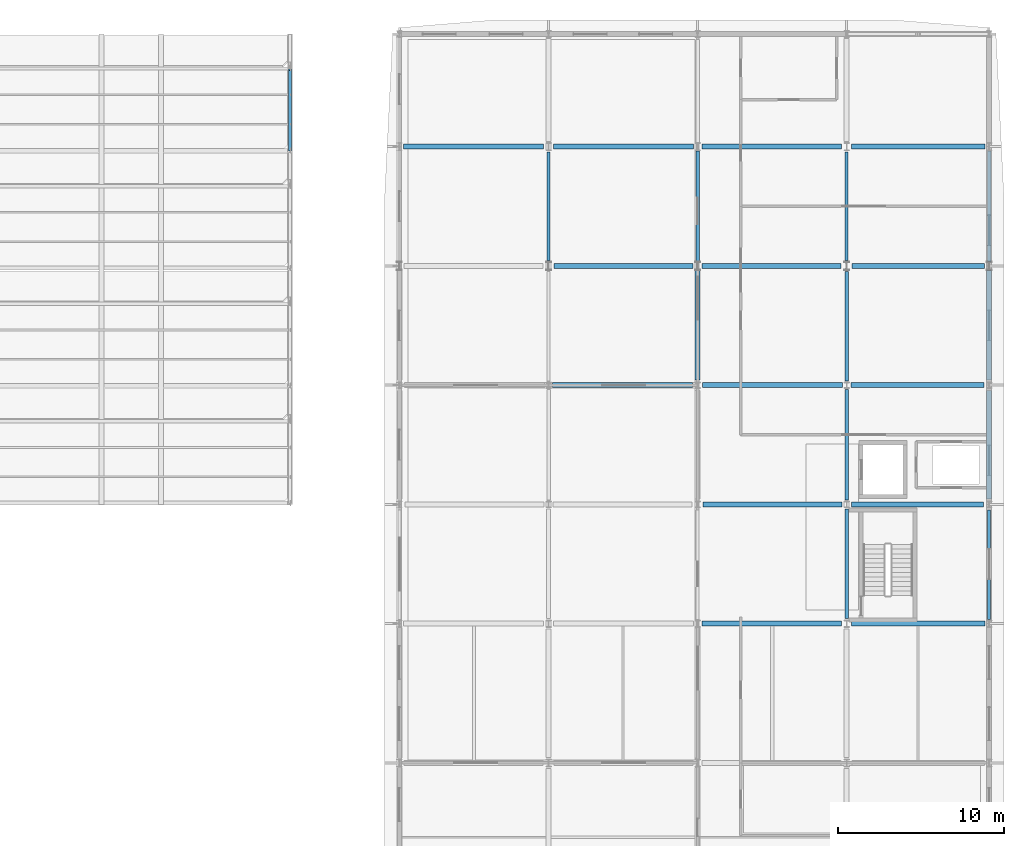
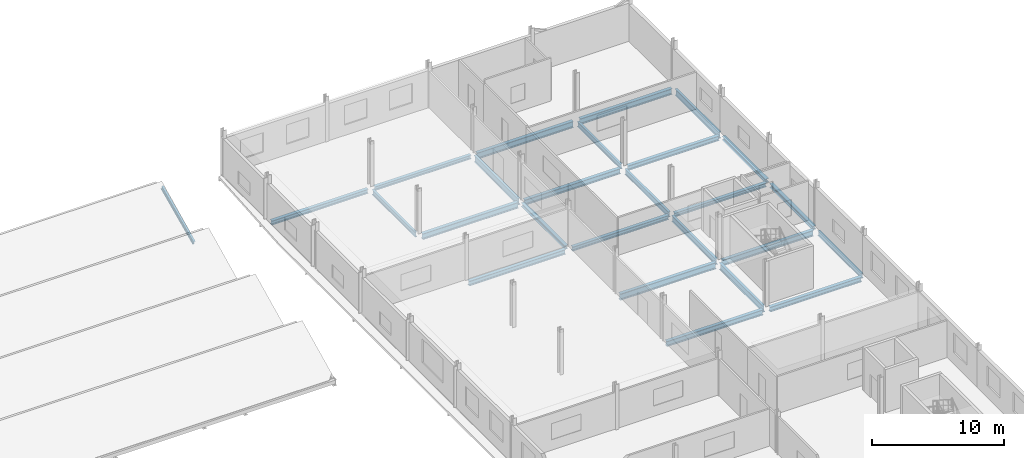
# One storey, part 86 of 138: 26 beams.
"""IFC4 building model written with IfcOpenShell, lengths in metres."""

from ifc_helpers import new_model, si_unit, direction, frame, origin, origin_2d, place, context, subcontext, project, spatial, i_section, extrude, material, material_profile, profile_set, type_object, element, save


model = new_model("IFC4")

# Units and contexts
model_context = context("Model", 3, precision=1e-05, world=origin(), true_north=direction((0.0, 1.0)))
body_context = subcontext(model_context, "Body", "Model", "MODEL_VIEW")
ifc_project = project(units=[si_unit("LENGTHUNIT", "METRE"), si_unit("AREAUNIT", "SQUARE_METRE"), si_unit("VOLUMEUNIT", "CUBIC_METRE"), si_unit("PLANEANGLEUNIT", "RADIAN"), si_unit("MASSUNIT", "GRAM", prefix="KILO")], contexts=[model_context])

# Site, building, storey
site_placement = place(None, origin())
site = spatial("IfcSite", under=ifc_project, at=site_placement, CompositionType="ELEMENT")
building_placement = place(site_placement, origin())
building = spatial("IfcBuilding", under=site, at=building_placement, Name="Vinh Khe Railworks Police Headquarters", CompositionType="ELEMENT")
storey_placement = place(building_placement, frame((0.0, 0.0, 9.0)))
storey = spatial("IfcBuildingStorey", under=building, at=storey_placement, Name="L02", CompositionType="ELEMENT", Elevation=9.0)

# Beams
ifc_material = material(Name="Steel S355JR", Category="steel")
ifc_material_profile_1 = material_profile(ifc_material, i_section(OverallWidth=0.300048828125, OverallDepth=0.330078125, WebThickness=0.009521484375, FlangeThickness=0.0166015625, FilletRadius=0.027099609375, at=origin_2d()), Name="HEA 340")
ifc_profile_set_1 = profile_set([ifc_material_profile_1], Name="Steel S355JR")
beam_type_1 = type_object("IfcBeamType", Name="Steel Girder HEA 340", PredefinedType="BEAM", material=ifc_profile_set_1)
for number, where, z_axis, x_axis, name in (
    (1, (96.0, 145.5048828125, -0.385009765625), (0.0, 1.0, 0.0), (-1.0, 0.0, 0.0), "Girder BM-L02-NS-SB-16-0998"),
    (2, (113.60009765625, 145.5048828125, -0.385009765625), (0.0, 1.0, 0.0), (-1.0, 0.0, 0.0), "Girder BM-L02-NS-SB-16-1016"),
):
    element("IfcBeam", number, at=place(storey_placement, frame(where, z_axis=z_axis, x_axis=x_axis)), inside=storey, type_object=beam_type_1, Name=name, PredefinedType="BEAM", context=body_context, shape_type="SweptSolid", body=[
        extrude(i_section(OverallWidth=0.300048828125, OverallDepth=0.330078125, WebThickness=0.009521484375, FlangeThickness=0.0166015625, FilletRadius=0.027099609375, at=origin_2d()), origin(), (0.0, 0.0, 1.0), 6.615234375),
    ])
ifc_material_profile_2 = material_profile(ifc_material, i_section(OverallWidth=0.300048828125, OverallDepth=0.35009765625, WebThickness=0.010009765625, FlangeThickness=0.017578125, FilletRadius=0.027099609375, at=origin_2d()), Name="HEA 360")
ifc_profile_set_2 = profile_set([ifc_material_profile_2], Name="Steel S355JR")
beam_type_2 = type_object("IfcBeamType", Name="Steel Girder HEA 360", PredefinedType="BEAM", material=ifc_profile_set_2)
beam_1_placement = place(storey_placement, frame((105.2548828125, 145.199951171875, -0.39501953125), z_axis=(1.0, 0.0, 0.0), x_axis=(0.0, 1.0, 0.0)))
element("IfcBeam", 3, at=beam_1_placement, inside=storey, type_object=beam_type_2, Name="Girder BM-L02-EW-SB-15-0858", PredefinedType="BEAM", context=body_context, shape_type="SweptSolid", body=[
    extrude(i_section(OverallWidth=0.300048828125, OverallDepth=0.35009765625, WebThickness=0.010009765625, FlangeThickness=0.017578125, FilletRadius=0.027099609375, at=origin_2d()), origin(), (0.0, 0.0, 1.0), 8.0400390625),
])
beam_2_placement = place(storey_placement, frame((87.304931640625, 159.60009765625, -0.39501953125), z_axis=(1.0, 0.0, 0.0), x_axis=(0.0, 1.0, 0.0)))
element("IfcBeam", 4, at=beam_2_placement, inside=storey, type_object=beam_type_2, Name="Girder BM-L02-EW-SB-15-0864", PredefinedType="BEAM", context=body_context, shape_type="SweptSolid", body=[
    extrude(i_section(OverallWidth=0.300048828125, OverallDepth=0.35009765625, WebThickness=0.010009765625, FlangeThickness=0.017578125, FilletRadius=0.027099609375, at=origin_2d()), origin(), (0.0, 0.0, 1.0), 8.440185546875),
])
beam_3_placement = place(storey_placement, frame((113.60009765625, 138.330078125, -0.39501953125), z_axis=(0.0, 1.0, 0.0), x_axis=(-1.0, 0.0, 0.0)))
element("IfcBeam", 5, at=beam_3_placement, inside=storey, type_object=beam_type_2, Name="Girder BM-L02-NS-SB-15-1015", PredefinedType="BEAM", context=body_context, shape_type="SweptSolid", body=[
    extrude(i_section(OverallWidth=0.300048828125, OverallDepth=0.35009765625, WebThickness=0.010009765625, FlangeThickness=0.017578125, FilletRadius=0.027099609375, at=origin_2d()), origin(), (0.0, 0.0, 1.0), 6.56494140625),
])
ifc_material_profile_3 = material_profile(ifc_material, i_section(OverallWidth=0.300048828125, OverallDepth=0.389892578125, WebThickness=0.010986328125, FlangeThickness=0.01904296875, FilletRadius=0.027099609375, at=origin_2d()), Name="HEA 400")
ifc_profile_set_3 = profile_set([ifc_material_profile_3], Name="Steel S355JR")
beam_type_3 = type_object("IfcBeamType", Name="Steel Girder HEA 400", PredefinedType="BEAM", material=ifc_profile_set_3)
for number, where, z_axis, x_axis, name in (
    (6, (96.304931640625, 145.199951171875, -0.4150390625), (1.0, 0.0, 0.0), (0.0, 1.0, 0.0), "Girder BM-L02-EW-SB-14-0857"),
    (7, (78.2548828125, 159.60009765625, -0.4150390625), (1.0, 0.0, 0.0), (0.0, 1.0, 0.0), "Girder BM-L02-EW-SB-14-0863"),
):
    element("IfcBeam", number, at=place(storey_placement, frame(where, z_axis=z_axis, x_axis=x_axis)), inside=storey, type_object=beam_type_3, Name=name, PredefinedType="BEAM", context=body_context, shape_type="SweptSolid", body=[
        extrude(i_section(OverallWidth=0.300048828125, OverallDepth=0.389892578125, WebThickness=0.010986328125, FlangeThickness=0.01904296875, FilletRadius=0.027099609375, at=origin_2d()), origin(), (0.0, 0.0, 1.0), 8.440185546875),
    ])
ifc_material_profile_4 = material_profile(ifc_material, i_section(OverallWidth=0.300048828125, OverallDepth=0.43994140625, WebThickness=0.011474609375, FlangeThickness=0.02099609375, FilletRadius=0.027099609375, at=origin_2d()), Name="HEA 450")
ifc_profile_set_4 = profile_set([ifc_material_profile_4], Name="Steel S355JR")
beam_type_4 = type_object("IfcBeamType", Name="Steel Girder HEA 450", PredefinedType="BEAM", material=ifc_profile_set_4)
beam_4_placement = place(storey_placement, frame((105.304931640625, 130.800048828125, -0.43994140625), z_axis=(1.0, 0.0, 0.0), x_axis=(0.0, 1.0, 0.0)))
element("IfcBeam", 8, at=beam_4_placement, inside=storey, type_object=beam_type_4, Name="Girder BM-L02-EW-SB-13-0850", PredefinedType="BEAM", context=body_context, shape_type="SweptSolid", body=[
    extrude(i_section(OverallWidth=0.300048828125, OverallDepth=0.43994140625, WebThickness=0.011474609375, FlangeThickness=0.02099609375, FilletRadius=0.027099609375, at=origin_2d()), origin(), (0.0, 0.0, 1.0), 8.0400390625),
])
beam_5_placement = place(storey_placement, frame((87.2548828125, 145.199951171875, -0.43994140625), z_axis=(1.0, 0.0, 0.0), x_axis=(0.0, 1.0, 0.0)))
element("IfcBeam", 9, at=beam_5_placement, inside=storey, type_object=beam_type_4, Name="Girder BM-L02-EW-SB-13-0856", PredefinedType="BEAM", context=body_context, shape_type="SweptSolid", body=[
    extrude(i_section(OverallWidth=0.300048828125, OverallDepth=0.43994140625, WebThickness=0.011474609375, FlangeThickness=0.02099609375, FilletRadius=0.027099609375, at=origin_2d()), origin(), (0.0, 0.0, 1.0), 8.440185546875),
])
beam_6_placement = place(storey_placement, frame((105.330078125, 152.39990234375, -0.43994140625), z_axis=(1.0, 0.0, 0.0), x_axis=(0.0, 1.0, 0.0)))
element("IfcBeam", 10, at=beam_6_placement, inside=storey, type_object=beam_type_4, Name="Girder BM-L02-EW-SB-13-0862", PredefinedType="BEAM", context=body_context, shape_type="SweptSolid", body=[
    extrude(i_section(OverallWidth=0.300048828125, OverallDepth=0.43994140625, WebThickness=0.011474609375, FlangeThickness=0.02099609375, FilletRadius=0.027099609375, at=origin_2d()), origin(), (0.0, 0.0, 1.0), 7.989990234375),
])
ifc_material_profile_5 = material_profile(ifc_material, i_section(OverallWidth=0.300048828125, OverallDepth=0.489990234375, WebThickness=0.011962890625, FlangeThickness=0.02294921875, FilletRadius=0.027099609375, at=origin_2d()), Name="HEA 500")
ifc_profile_set_5 = profile_set([ifc_material_profile_5], Name="Steel S355JR")
beam_type_5 = type_object("IfcBeamType", Name="Steel Girder HEA 500", PredefinedType="BEAM", material=ifc_profile_set_5)
beam_7_placement = place(storey_placement, frame((96.2548828125, 130.800048828125, -0.465087890625), z_axis=(1.0, 0.0, 0.0), x_axis=(0.0, 1.0, 0.0)))
element("IfcBeam", 11, at=beam_7_placement, inside=storey, type_object=beam_type_5, Name="Girder BM-L02-EW-SB-12-0849", PredefinedType="BEAM", context=body_context, shape_type="SweptSolid", body=[
    extrude(i_section(OverallWidth=0.300048828125, OverallDepth=0.489990234375, WebThickness=0.011962890625, FlangeThickness=0.02294921875, FilletRadius=0.027099609375, at=origin_2d()), origin(), (0.0, 0.0, 1.0), 8.440185546875),
])
beam_8_placement = place(storey_placement, frame((96.280029296875, 152.39990234375, -0.465087890625), z_axis=(1.0, 0.0, 0.0), x_axis=(0.0, 1.0, 0.0)))
element("IfcBeam", 12, at=beam_8_placement, inside=storey, type_object=beam_type_5, Name="Girder BM-L02-EW-SB-12-0861", PredefinedType="BEAM", context=body_context, shape_type="SweptSolid", body=[
    extrude(i_section(OverallWidth=0.300048828125, OverallDepth=0.489990234375, WebThickness=0.011962890625, FlangeThickness=0.02294921875, FilletRadius=0.027099609375, at=origin_2d()), origin(), (0.0, 0.0, 1.0), 8.389892578125),
])
ifc_material_profile_6 = material_profile(ifc_material, i_section(OverallWidth=0.300048828125, OverallDepth=0.5400390625, WebThickness=0.012451171875, FlangeThickness=0.02392578125, FilletRadius=0.027099609375, at=origin_2d()), Name="HEA 550")
ifc_profile_set_6 = profile_set([ifc_material_profile_6], Name="Steel S355JR")
beam_type_6 = type_object("IfcBeamType", Name="Steel Girder HEA 550", PredefinedType="BEAM", material=ifc_profile_set_6)
beam_9_placement = place(storey_placement, frame((105.280029296875, 138.0, -0.489990234375), z_axis=(1.0, 0.0, 0.0), x_axis=(0.0, 1.0, 0.0)))
element("IfcBeam", 13, at=beam_9_placement, inside=storey, type_object=beam_type_6, Name="Girder BM-L02-EW-SB-11-0854", PredefinedType="BEAM", context=body_context, shape_type="SweptSolid", body=[
    extrude(i_section(OverallWidth=0.300048828125, OverallDepth=0.5400390625, WebThickness=0.012451171875, FlangeThickness=0.02392578125, FilletRadius=0.027099609375, at=origin_2d()), origin(), (0.0, 0.0, 1.0), 7.989990234375),
])
beam_10_placement = place(storey_placement, frame((87.330078125, 152.39990234375, -0.489990234375), z_axis=(1.0, 0.0, 0.0), x_axis=(0.0, 1.0, 0.0)))
element("IfcBeam", 14, at=beam_10_placement, inside=storey, type_object=beam_type_6, Name="Girder BM-L02-EW-SB-11-0860", PredefinedType="BEAM", context=body_context, shape_type="SweptSolid", body=[
    extrude(i_section(OverallWidth=0.300048828125, OverallDepth=0.5400390625, WebThickness=0.012451171875, FlangeThickness=0.02392578125, FilletRadius=0.027099609375, at=origin_2d()), origin(), (0.0, 0.0, 1.0), 8.389892578125),
])
beam_11_placement = place(storey_placement, frame((105.304931640625, 159.60009765625, -0.489990234375), z_axis=(1.0, 0.0, 0.0), x_axis=(0.0, 1.0, 0.0)))
element("IfcBeam", 15, at=beam_11_placement, inside=storey, type_object=beam_type_6, Name="Girder BM-L02-EW-SB-11-0866", PredefinedType="BEAM", context=body_context, shape_type="SweptSolid", body=[
    extrude(i_section(OverallWidth=0.300048828125, OverallDepth=0.5400390625, WebThickness=0.012451171875, FlangeThickness=0.02392578125, FilletRadius=0.027099609375, at=origin_2d()), origin(), (0.0, 0.0, 1.0), 8.0400390625),
])
ifc_material_profile_7 = material_profile(ifc_material, i_section(OverallWidth=0.300048828125, OverallDepth=0.590087890625, WebThickness=0.012939453125, FlangeThickness=0.02490234375, FilletRadius=0.027099609375, at=origin_2d()), Name="HEA 600")
ifc_profile_set_7 = profile_set([ifc_material_profile_7], Name="Steel S355JR")
beam_type_7 = type_object("IfcBeamType", Name="Steel Girder HEA 600", PredefinedType="BEAM", material=ifc_profile_set_7)
beam_12_placement = place(storey_placement, frame((96.330078125, 138.0, -0.514892578125), z_axis=(1.0, 0.0, 0.0), x_axis=(0.0, 1.0, 0.0)))
element("IfcBeam", 16, at=beam_12_placement, inside=storey, type_object=beam_type_7, Name="Girder BM-L02-EW-SB-10-0853", PredefinedType="BEAM", context=body_context, shape_type="SweptSolid", body=[
    extrude(i_section(OverallWidth=0.300048828125, OverallDepth=0.590087890625, WebThickness=0.012939453125, FlangeThickness=0.02490234375, FilletRadius=0.027099609375, at=origin_2d()), origin(), (0.0, 0.0, 1.0), 8.389892578125),
])
beam_13_placement = place(storey_placement, frame((96.2548828125, 159.60009765625, -0.514892578125), z_axis=(1.0, 0.0, 0.0), x_axis=(0.0, 1.0, 0.0)))
element("IfcBeam", 17, at=beam_13_placement, inside=storey, type_object=beam_type_7, Name="Girder BM-L02-EW-SB-10-0865", PredefinedType="BEAM", context=body_context, shape_type="SweptSolid", body=[
    extrude(i_section(OverallWidth=0.300048828125, OverallDepth=0.590087890625, WebThickness=0.012939453125, FlangeThickness=0.02490234375, FilletRadius=0.027099609375, at=origin_2d()), origin(), (0.0, 0.0, 1.0), 8.440185546875),
])
ifc_material_profile_8 = material_profile(ifc_material, i_section(OverallWidth=0.169921875, OverallDepth=0.360107421875, WebThickness=0.008056640625, FlangeThickness=0.0126953125, FilletRadius=0.01806640625, at=origin_2d()), Name="IPE 360")
ifc_profile_set_8 = profile_set([ifc_material_profile_8], Name="Steel S355JR")
beam_type_8 = type_object("IfcBeamType", Name="Steel Girder IPE 360", PredefinedType="BEAM", material=ifc_profile_set_8)
beam_14_placement = place(storey_placement, frame((71.39990234375, 159.419921875, 0.179931640625), z_axis=(0.0, 0.90818224373, 0.418574977959), x_axis=(-1.0, 0.0, 0.0)))
element("IfcBeam", 18, at=beam_14_placement, inside=storey, type_object=beam_type_8, Name="Sawtooth Slope Girder 4S", PredefinedType="BEAM", context=body_context, shape_type="SweptSolid", body=[
    extrude(i_section(OverallWidth=0.169921875, OverallDepth=0.360107421875, WebThickness=0.008056640625, FlangeThickness=0.0126953125, FilletRadius=0.01806640625, at=origin_2d()), origin(), (0.0, 0.0, 1.0), 5.3515625),
])
ifc_material_profile_9 = material_profile(ifc_material, i_section(OverallWidth=0.18994140625, OverallDepth=0.449951171875, WebThickness=0.009521484375, FlangeThickness=0.0146484375, FilletRadius=0.02099609375, at=origin_2d()), Name="IPE 450")
ifc_profile_set_9 = profile_set([ifc_material_profile_9], Name="Steel S355JR")
beam_type_9 = type_object("IfcBeamType", Name="Steel Girder IPE 450", PredefinedType="BEAM", material=ifc_profile_set_9)
for number, where, z_axis, x_axis, name in (
    (19, (87.0, 152.72998046875, -0.445068359375), (0.0, 1.0, 0.0), (-1.0, 0.0, 0.0), "Girder BM-L02-NS-SB-20-0990"),
    (20, (105.0, 152.72998046875, -0.445068359375), (0.0, 1.0, 0.0), (-1.0, 0.0, 0.0), "Girder BM-L02-NS-SB-20-1008"),
):
    element("IfcBeam", number, at=place(storey_placement, frame(where, z_axis=z_axis, x_axis=x_axis)), inside=storey, type_object=beam_type_9, Name=name, PredefinedType="BEAM", context=body_context, shape_type="SweptSolid", body=[
        extrude(i_section(OverallWidth=0.18994140625, OverallDepth=0.449951171875, WebThickness=0.009521484375, FlangeThickness=0.0146484375, FilletRadius=0.02099609375, at=origin_2d()), origin(), (0.0, 0.0, 1.0), 6.56494140625),
    ])
beam_15_placement = place(storey_placement, frame((113.60009765625, 131.054931640625, -0.445068359375), z_axis=(0.0, 1.0, 0.0), x_axis=(-1.0, 0.0, 0.0)))
element("IfcBeam", 21, at=beam_15_placement, inside=storey, type_object=beam_type_9, Name="Girder BM-L02-NS-SB-20-1014", PredefinedType="BEAM", context=body_context, shape_type="SweptSolid", body=[
    extrude(i_section(OverallWidth=0.18994140625, OverallDepth=0.449951171875, WebThickness=0.009521484375, FlangeThickness=0.0146484375, FilletRadius=0.02099609375, at=origin_2d()), origin(), (0.0, 0.0, 1.0), 6.614990234375),
])
ifc_material_profile_10 = material_profile(ifc_material, i_section(OverallWidth=0.199951171875, OverallDepth=0.5, WebThickness=0.01025390625, FlangeThickness=0.01611328125, FilletRadius=0.02099609375, at=origin_2d()), Name="IPE 500")
ifc_profile_set_10 = profile_set([ifc_material_profile_10], Name="Steel S355JR")
beam_type_10 = type_object("IfcBeamType", Name="Steel Girder IPE 500", PredefinedType="BEAM", material=ifc_profile_set_10)
beam_16_placement = place(storey_placement, frame((105.0, 145.455078125, -0.469970703125), z_axis=(0.0, 1.0, 0.0), x_axis=(-1.0, 0.0, 0.0)))
element("IfcBeam", 22, at=beam_16_placement, inside=storey, type_object=beam_type_10, Name="Girder BM-L02-NS-SB-19-1007", PredefinedType="BEAM", context=body_context, shape_type="SweptSolid", body=[
    extrude(i_section(OverallWidth=0.199951171875, OverallDepth=0.5, WebThickness=0.01025390625, FlangeThickness=0.01611328125, FilletRadius=0.02099609375, at=origin_2d()), origin(), (0.0, 0.0, 1.0), 6.614990234375),
])
ifc_material_profile_11 = material_profile(ifc_material, i_section(OverallWidth=0.2099609375, OverallDepth=0.550048828125, WebThickness=0.010986328125, FlangeThickness=0.01708984375, FilletRadius=0.02392578125, at=origin_2d()), Name="IPE 550")
ifc_profile_set_11 = profile_set([ifc_material_profile_11], Name="Steel S355JR")
beam_type_11 = type_object("IfcBeamType", Name="Steel Girder IPE 550", PredefinedType="BEAM", material=ifc_profile_set_11)
beam_17_placement = place(storey_placement, frame((105.0, 138.280029296875, -0.4951171875), z_axis=(0.0, 1.0, 0.0), x_axis=(-1.0, 0.0, 0.0)))
element("IfcBeam", 23, at=beam_17_placement, inside=storey, type_object=beam_type_11, Name="Girder BM-L02-NS-SB-18-1006", PredefinedType="BEAM", context=body_context, shape_type="SweptSolid", body=[
    extrude(i_section(OverallWidth=0.2099609375, OverallDepth=0.550048828125, WebThickness=0.010986328125, FlangeThickness=0.01708984375, FilletRadius=0.02392578125, at=origin_2d()), origin(), (0.0, 0.0, 1.0), 6.6650390625),
])
ifc_material_profile_12 = material_profile(ifc_material, i_section(OverallWidth=0.219970703125, OverallDepth=0.60009765625, WebThickness=0.011962890625, FlangeThickness=0.01904296875, FilletRadius=0.02392578125, at=origin_2d()), Name="IPE 600")
ifc_profile_set_12 = profile_set([ifc_material_profile_12], Name="Steel S355JR")
beam_type_12 = type_object("IfcBeamType", Name="Steel Girder IPE 600", PredefinedType="BEAM", material=ifc_profile_set_12)
beam_18_placement = place(storey_placement, frame((96.0, 152.679931640625, -0.52001953125), z_axis=(0.0, 1.0, 0.0), x_axis=(-1.0, 0.0, 0.0)))
element("IfcBeam", 24, at=beam_18_placement, inside=storey, type_object=beam_type_12, Name="Girder BM-L02-NS-SB-17-0999", PredefinedType="BEAM", context=body_context, shape_type="SweptSolid", body=[
    extrude(i_section(OverallWidth=0.219970703125, OverallDepth=0.60009765625, WebThickness=0.011962890625, FlangeThickness=0.01904296875, FilletRadius=0.02392578125, at=origin_2d()), origin(), (0.0, 0.0, 1.0), 6.6650390625),
])
beam_19_placement = place(storey_placement, frame((105.0, 131.10498046875, -0.52001953125), z_axis=(0.0, 1.0, 0.0), x_axis=(-1.0, 0.0, 0.0)))
element("IfcBeam", 25, at=beam_19_placement, inside=storey, type_object=beam_type_12, Name="Girder BM-L02-NS-SB-17-1005", PredefinedType="BEAM", context=body_context, shape_type="SweptSolid", body=[
    extrude(i_section(OverallWidth=0.219970703125, OverallDepth=0.60009765625, WebThickness=0.011962890625, FlangeThickness=0.01904296875, FilletRadius=0.02392578125, at=origin_2d()), origin(), (0.0, 0.0, 1.0), 6.614990234375),
])
beam_20_placement = place(storey_placement, frame((113.60009765625, 152.679931640625, -0.52001953125), z_axis=(0.0, 1.0, 0.0), x_axis=(-1.0, 0.0, 0.0)))
element("IfcBeam", 26, at=beam_20_placement, inside=storey, type_object=beam_type_12, Name="Girder BM-L02-NS-SB-17-1017", PredefinedType="BEAM", context=body_context, shape_type="SweptSolid", body=[
    extrude(i_section(OverallWidth=0.219970703125, OverallDepth=0.60009765625, WebThickness=0.011962890625, FlangeThickness=0.01904296875, FilletRadius=0.02392578125, at=origin_2d()), origin(), (0.0, 0.0, 1.0), 6.6650390625),
])

save(model, "model.ifc")
